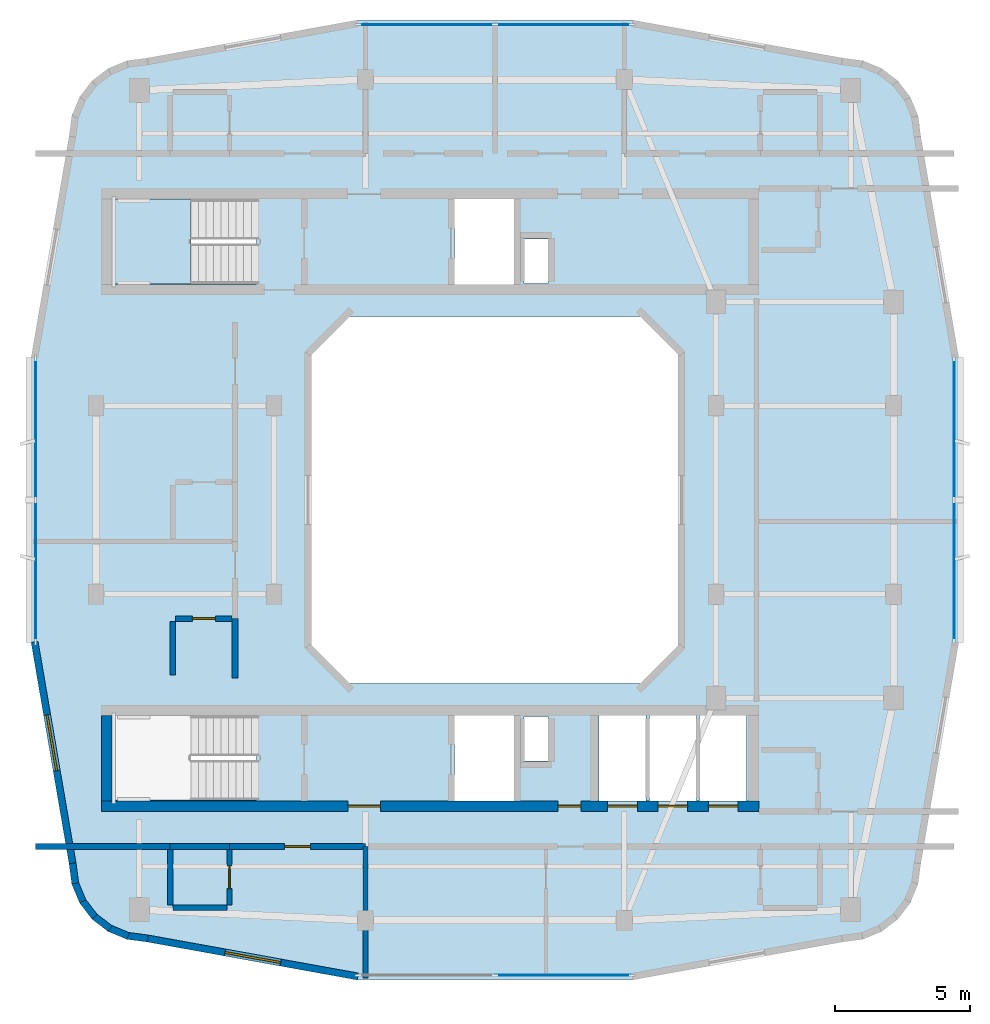
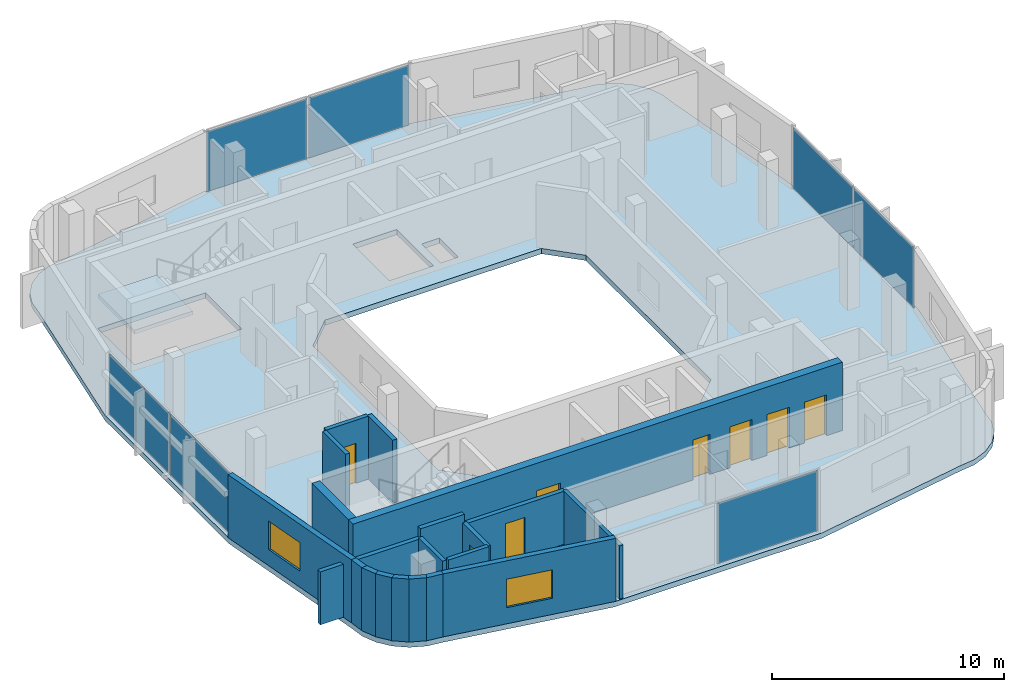
# One storey, part 3 of 8: 20 walls, 8 doors, 7 plates, 2 slabs, 2 windows, 10 openings, 5 elements without a shape of their own.
"""IFC4 building model written with IfcOpenShell, lengths in metres."""

import ifcopenshell
import ifcopenshell.guid

model = None  # the IFC model being written
_history = None  # IfcOwnerHistory: only IFC2X3 demands one
_inside = {}  # id of a spatial element -> (the spatial element, [elements in it])
_under = {}  # id of a project, library or spatial element -> (it, [spatial elements below it])
_declared = {}  # id of a project -> (the project, [libraries it declares])
_typed = {}  # id of a type object -> (the type object, [elements of that type])
_made_of = {}  # id of a material, layer set ... -> (it, [elements and type objects made of it])


def new_model(schema):
    """Start an empty IFC model of exactly this schema.

    Asked for "IFC4X3", IfcOpenShell would pick the latest addendum, in which some entities
    have other attributes; the version numbers below select the first issue.
    IFC2X3 requires an IfcOwnerHistory on every rooted entity: one is made here for all.
    """
    global model, _history
    if schema == "IFC4X3":
        model = ifcopenshell.file(schema_version=(4, 3, 0, 0))
    else:
        model = ifcopenshell.file(schema=schema)
    _inside.clear()
    _under.clear()
    _declared.clear()
    _typed.clear()
    _made_of.clear()
    _history = None
    if model.schema == "IFC2X3":
        org = make("IfcOrganization", Name="unknown")
        user = make(
            "IfcPersonAndOrganization",
            ThePerson=make("IfcPerson", FamilyName="unknown"),
            TheOrganization=org,
        )
        app = make(
            "IfcApplication",
            ApplicationDeveloper=org,
            Version="unknown",
            ApplicationFullName="unknown",
            ApplicationIdentifier="unknown",
        )
        _history = make(
            "IfcOwnerHistory",
            OwningUser=user,
            OwningApplication=app,
            ChangeAction="ADDED",
            CreationDate=0,
        )
    return model


def make(cls, **values):
    """One entity of the class cls with the attributes given. An attribute that is None is left unset."""
    return model.create_entity(
        cls, **{name: value for name, value in values.items() if value is not None}
    )


def rooted(cls, **values):
    """An entity with a GlobalId (a new one), such as an element, a storey or a relation."""
    return make(cls, GlobalId=ifcopenshell.guid.new(), OwnerHistory=_history, **values)


def si_unit(unit_type, name, prefix=None):
    """IfcSIUnit, for example si_unit("LENGTHUNIT", "METRE", prefix="MILLI")."""
    return make("IfcSIUnit", UnitType=unit_type, Prefix=prefix, Name=name)


def derived_unit(unit_type, elements):
    """IfcDerivedUnit: a product of units, each with its exponent."""
    return make(
        "IfcDerivedUnit",
        Elements=[
            make("IfcDerivedUnitElement", Unit=unit, Exponent=power)
            for unit, power in elements
        ],
        UnitType=unit_type,
    )


def assignment(units):
    """IfcUnitAssignment: the units of a project."""
    return None if units is None else make("IfcUnitAssignment", Units=units)


def point(xyz):
    """IfcCartesianPoint."""
    return None if xyz is None else make("IfcCartesianPoint", Coordinates=xyz)


def direction(xyz):
    """IfcDirection."""
    return None if xyz is None else make("IfcDirection", DirectionRatios=xyz)


def frame(location, z_axis=None, x_axis=None):
    """IfcAxis2Placement3D, a coordinate frame: its origin and axes. An axis left out is left unset."""
    return make(
        "IfcAxis2Placement3D",
        Location=point(location),
        Axis=direction(z_axis),
        RefDirection=direction(x_axis),
    )


def frame_2d(location, x_axis=None):
    """IfcAxis2Placement2D, a coordinate frame in the plane: its origin and x axis."""
    return make(
        "IfcAxis2Placement2D", Location=point(location), RefDirection=direction(x_axis)
    )


def origin():
    """The frame at (0, 0, 0) with its axes left unset."""
    return frame((0.0, 0.0, 0.0))


def origin_2d():
    """The frame at (0, 0) in the plane with its x axis left unset."""
    return frame_2d((0.0, 0.0))


def place(relative_to, where):
    """IfcLocalPlacement: puts the frame where relative to a parent placement (None: the world)."""
    return make(
        "IfcLocalPlacement", PlacementRelTo=relative_to, RelativePlacement=where
    )


def context(
    kind, dimensions, precision=None, world=None, true_north=None, identifier=None
):
    """IfcGeometricRepresentationContext, for example the 3D "Model" context."""
    return make(
        "IfcGeometricRepresentationContext",
        ContextIdentifier=identifier,
        ContextType=kind,
        CoordinateSpaceDimension=dimensions,
        Precision=precision,
        WorldCoordinateSystem=world,
        TrueNorth=true_north,
    )


def subcontext(parent, identifier, kind, view, scale=None):
    """IfcGeometricRepresentationSubContext, for example "Body" below "Model"."""
    return make(
        "IfcGeometricRepresentationSubContext",
        ContextIdentifier=identifier,
        ContextType=kind,
        ParentContext=parent,
        TargetScale=scale,
        TargetView=view,
    )


def project(units=None, contexts=None):
    """IfcProject with its units and contexts."""
    return rooted(
        "IfcProject",
        Name="project",
        RepresentationContexts=contexts,
        UnitsInContext=assignment(units),
    )


def spatial(cls, under=None, at=None, **own):
    """A site, building, storey or space (cls), placed at a placement, below another one or the project."""
    s = rooted(cls, ObjectPlacement=at, **own)
    if under is not None:
        _under.setdefault(under.id(), (under, []))[1].append(s)
    return s


def polyline(points):
    """IfcPolyline through the points."""
    return make("IfcPolyline", Points=[point(p) for p in points])


def profile(cls, at=None, kind="AREA", **sizes):
    """A parametric profile (cls). Its sizes go by their IFC names, for example OverallWidth=200.0."""
    return make(cls, ProfileType=kind, Position=at, **sizes)


def rectangle(**sizes):
    """IfcRectangleProfileDef."""
    return profile("IfcRectangleProfileDef", **sizes)


def outline(outer, holes=None, kind="AREA"):
    """IfcArbitraryClosedProfileDef: a profile drawn as a closed curve; with holes, ...WithVoids."""
    if holes is None:
        return make("IfcArbitraryClosedProfileDef", ProfileType=kind, OuterCurve=outer)
    return make(
        "IfcArbitraryProfileDefWithVoids",
        ProfileType=kind,
        OuterCurve=outer,
        InnerCurves=holes,
    )


def extrude(swept, where, along, depth):
    """IfcExtrudedAreaSolid: the profile swept, set in the frame where, extruded along a direction by depth."""
    return make(
        "IfcExtrudedAreaSolid",
        SweptArea=swept,
        Position=where,
        ExtrudedDirection=direction(along),
        Depth=depth,
    )


def shape(context_of_items, identifier, shape_type, items):
    """IfcShapeRepresentation: the items that make up one representation, for example the "Body"."""
    return make(
        "IfcShapeRepresentation",
        ContextOfItems=context_of_items,
        RepresentationIdentifier=identifier,
        RepresentationType=shape_type,
        Items=items,
    )


def material(Name=None, Category=None):
    """IfcMaterial."""
    return make("IfcMaterial", Name=Name, Category=Category)


def layer(
    of_material, thickness, ventilated=None, Name=None, Category=None, Priority=None
):
    """IfcMaterialLayer: one layer of a wall or slab, of a material (None: an air gap)."""
    return make(
        "IfcMaterialLayer",
        Material=of_material,
        LayerThickness=thickness,
        IsVentilated=ventilated,
        Name=Name,
        Category=Category,
        Priority=Priority,
    )


def layer_set(layers, Name=None):
    """IfcMaterialLayerSet."""
    return make("IfcMaterialLayerSet", MaterialLayers=layers, LayerSetName=Name)


def made_of(thing, what):
    """Note that an element or type object is made of a material, layer set ...; save() writes the relation."""
    if what is not None:
        _made_of.setdefault(what.id(), (what, []))[1].append(thing)
    return thing


def type_object(cls, material=None, **own):
    """A type object (cls), such as IfcWallType, which elements share."""
    return made_of(rooted(cls, **own), material)


def element(
    cls,
    number,
    at=None,
    inside=None,
    cuts=None,
    type_object=None,
    material=None,
    context=None,
    identifier="Body",
    shape_type=None,
    held_by="IfcProductDefinitionShape",
    body=None,
    shapes=None,
    **own,
):
    """One element of the class cls, such as IfcWall. Its Tag is "e" and its number.

    at: its placement. inside: the storey or other place that contains it. cuts: it is an
    opening in that element (IfcRelVoidsElement). A single representation is given by context,
    identifier, shape_type and body (its items); several are given by shapes. held_by: the class
    of the entity that holds the representations. save() writes the other relations.
    """
    e = rooted(cls, Tag="e%d" % number, ObjectPlacement=at, **own)
    if body is not None:
        shapes = [shape(context, identifier, shape_type, body)]
    if shapes is not None:
        e.Representation = make(held_by, Representations=shapes)
    if inside is not None:
        _inside.setdefault(inside.id(), (inside, []))[1].append(e)
    if cuts is not None:
        rooted(
            "IfcRelVoidsElement", RelatingBuildingElement=cuts, RelatedOpeningElement=e
        )
    if type_object is not None:
        _typed.setdefault(type_object.id(), (type_object, []))[1].append(e)
    return made_of(e, material)


def fill(opening, filler):
    """IfcRelFillsElement: the door or window that sits in an opening."""
    return rooted(
        "IfcRelFillsElement",
        RelatingOpeningElement=opening,
        RelatedBuildingElement=filler,
    )


def aggregate(whole, parts):
    """IfcRelAggregates: a whole, such as a stair, and the parts it consists of."""
    return rooted("IfcRelAggregates", RelatingObject=whole, RelatedObjects=parts)


def save(model, path):
    """Write the relations noted so far, then the file.

    IfcRelAggregates (storeys below a building ...), IfcRelContainedInSpatialStructure (elements
    in a storey), IfcRelDefinesByType, IfcRelAssociatesMaterial and IfcRelDeclares: one each for
    every whole, place, type object, material and project.
    """
    for whole, parts in _under.values():
        aggregate(whole, parts)
    for where, things in _inside.values():
        rooted(
            "IfcRelContainedInSpatialStructure",
            RelatedElements=things,
            RelatingStructure=where,
        )
    for kind, things in _typed.values():
        rooted("IfcRelDefinesByType", RelatedObjects=things, RelatingType=kind)
    for what, things in _made_of.values():
        rooted("IfcRelAssociatesMaterial", RelatedObjects=things, RelatingMaterial=what)
    for by, libraries in _declared.values():
        rooted("IfcRelDeclares", RelatingContext=by, RelatedDefinitions=libraries)
    model.write(path)


model = new_model("IFC4")

# Units and contexts
model_context = context("Model", 3, precision=1e-05, world=origin(), true_north=direction((0.0, 1.0)))
body_context = subcontext(model_context, "Body", "Model", "MODEL_VIEW")
ifc_project = project(units=[si_unit("LENGTHUNIT", "METRE"), si_unit("AREAUNIT", "SQUARE_METRE"), si_unit("VOLUMEUNIT", "CUBIC_METRE"), si_unit("PLANEANGLEUNIT", "RADIAN"), si_unit("MASSUNIT", "GRAM", prefix="KILO"), derived_unit("THERMALTRANSMITTANCEUNIT", [(si_unit("POWERUNIT", "WATT"), 1), (si_unit("LENGTHUNIT", "METRE"), -2), (si_unit("THERMODYNAMICTEMPERATUREUNIT", "KELVIN"), -1)])], contexts=[model_context])

# Site, building, storey
site_placement = place(None, origin())
site = spatial("IfcSite", under=ifc_project, at=site_placement, CompositionType="ELEMENT")
building_placement = place(site_placement, origin())
building = spatial("IfcBuilding", under=site, at=building_placement, Name="Kivonza Crest Hotel", CompositionType="ELEMENT")
storey_placement = place(building_placement, frame((0.0, 0.0, 257.60009765625)))
storey = spatial("IfcBuildingStorey", under=building, at=storey_placement, Name="L70", CompositionType="ELEMENT", Elevation=257.60009765625)

# Curtain wall, plate
ifc_material_1 = material(Name="Anodised bronze aluminium and low-E double glazing", Category="aluminium")
ifc_layer_1 = layer(ifc_material_1, 0.179931640625)
ifc_layer_set_1 = layer_set([ifc_layer_1], Name="Anodised bronze aluminium and low-E double glazing")
curtain_wall_type = type_object("IfcCurtainWallType", Name="CW-SYS-3", PredefinedType="NOTDEFINED", material=ifc_layer_set_1)
curtain_wall_1_placement = place(storey_placement, origin())
curtain_wall_1 = element("IfcCurtainWall", 1, at=curtain_wall_1_placement, inside=storey, type_object=curtain_wall_type, Name="L70 unitised curtain wall CW-T1-L70-08", PredefinedType="NOTDEFINED")
ifc_material_2 = material(Name="Acoustic triple-laminated low-E glazing", Category="glass")
ifc_layer_2 = layer(ifc_material_2, 0.035888671875)
ifc_layer_set_2 = layer_set([ifc_layer_2], Name="Acoustic triple-laminated low-E glazing")
plate_type = type_object("IfcPlateType", Name="CW-PNL-36", PredefinedType="CURTAIN_PANEL", material=ifc_layer_set_2)
plate_1_placement = place(storey_placement, frame((23.541259765625, 7.360107421875, 0.074951171875), z_axis=(0.0, 0.0, 1.0), x_axis=(1.0, 0.0, 0.0)))
plate_1 = element("IfcPlate", 2, at=plate_1_placement, type_object=plate_type, Name="CW-3 panel 2.1", PredefinedType="CURTAIN_PANEL", context=body_context, shape_type="SweptSolid", body=[
    extrude(rectangle(XDim=5.007568359375, YDim=0.035888671875, at=origin_2d()), origin(), (0.0, 0.0, 1.0), 3.169921875),
])
aggregate(curtain_wall_1, [plate_1])

# Curtain wall, plates
curtain_wall_2_placement = place(storey_placement, origin())
curtain_wall_2 = element("IfcCurtainWall", 3, at=curtain_wall_2_placement, inside=storey, type_object=curtain_wall_type, Name="L70 unitised curtain wall CW-T1-L70-17", PredefinedType="NOTDEFINED")
plate_2_placement = place(storey_placement, frame((38.0400390625, 22.36865234375, 0.074951171875), z_axis=(0.0, 0.0, 1.0), x_axis=(0.0, 1.0, 0.0)))
plate_2 = element("IfcPlate", 4, at=plate_2_placement, type_object=plate_type, Name="CW-3 panel 1.1", PredefinedType="CURTAIN_PANEL", context=body_context, shape_type="SweptSolid", body=[
    extrude(rectangle(XDim=5.1875, YDim=0.035888671875, at=origin_2d()), origin(), (0.0, 0.0, 1.0), 3.169921875),
])
plate_3_placement = place(storey_placement, frame((38.0400390625, 27.63134765625, 0.074951171875), z_axis=(0.0, 0.0, 1.0), x_axis=(0.0, 1.0, 0.0)))
plate_3 = element("IfcPlate", 5, at=plate_3_placement, type_object=plate_type, Name="CW-3 panel 2.1", PredefinedType="CURTAIN_PANEL", context=body_context, shape_type="SweptSolid", body=[
    extrude(rectangle(XDim=5.1875, YDim=0.035888671875, at=origin_2d()), origin(), (0.0, 0.0, 1.0), 3.169921875),
])
aggregate(curtain_wall_2, [plate_2, plate_3])

curtain_wall_3_placement = place(storey_placement, origin())
curtain_wall_3 = element("IfcCurtainWall", 6, at=curtain_wall_3_placement, inside=storey, type_object=curtain_wall_type, Name="L70 unitised curtain wall CW-T1-L70-26", PredefinedType="NOTDEFINED")
plate_4_placement = place(storey_placement, frame((23.541259765625, 42.639892578125, 0.074951171875), z_axis=(0.0, 0.0, 1.0), x_axis=(-1.0, 0.0, 0.0)))
plate_4 = element("IfcPlate", 7, at=plate_4_placement, type_object=plate_type, Name="CW-3 panel 1.1", PredefinedType="CURTAIN_PANEL", context=body_context, shape_type="SweptSolid", body=[
    extrude(rectangle(XDim=5.007568359375, YDim=0.035888671875, at=origin_2d()), origin(), (0.0, 0.0, 1.0), 3.169921875),
])
plate_5_placement = place(storey_placement, frame((18.458740234375, 42.639892578125, 0.074951171875), z_axis=(0.0, 0.0, 1.0), x_axis=(-1.0, 0.0, 0.0)))
plate_5 = element("IfcPlate", 8, at=plate_5_placement, type_object=plate_type, Name="CW-3 panel 2.1", PredefinedType="CURTAIN_PANEL", context=body_context, shape_type="SweptSolid", body=[
    extrude(rectangle(XDim=5.007568359375, YDim=0.035888671875, at=origin_2d()), origin(), (0.0, 0.0, 1.0), 3.169921875),
])
aggregate(curtain_wall_3, [plate_4, plate_5])

curtain_wall_4_placement = place(storey_placement, origin())
curtain_wall_4 = element("IfcCurtainWall", 9, at=curtain_wall_4_placement, inside=storey, type_object=curtain_wall_type, Name="L70 unitised curtain wall CW-T1-L70-35", PredefinedType="NOTDEFINED")
plate_6_placement = place(storey_placement, frame((3.9599609375, 27.63134765625, 0.074951171875), z_axis=(0.0, 0.0, 1.0), x_axis=(0.0, -1.0, 0.0)))
plate_6 = element("IfcPlate", 10, at=plate_6_placement, type_object=plate_type, Name="CW-3 panel 1.1", PredefinedType="CURTAIN_PANEL", context=body_context, shape_type="SweptSolid", body=[
    extrude(rectangle(XDim=5.1875, YDim=0.035888671875, at=origin_2d()), origin(), (0.0, 0.0, 1.0), 3.169921875),
])
plate_7_placement = place(storey_placement, frame((3.9599609375, 22.36865234375, 0.074951171875), z_axis=(0.0, 0.0, 1.0), x_axis=(0.0, -1.0, 0.0)))
plate_7 = element("IfcPlate", 11, at=plate_7_placement, type_object=plate_type, Name="CW-3 panel 2.1", PredefinedType="CURTAIN_PANEL", context=body_context, shape_type="SweptSolid", body=[
    extrude(rectangle(XDim=5.1875, YDim=0.035888671875, at=origin_2d()), origin(), (0.0, 0.0, 1.0), 3.169921875),
])
aggregate(curtain_wall_4, [plate_6, plate_7])

# Slab
ifc_material_3 = material(Name="Concrete C40/50", Category="concrete")
ifc_layer_3 = layer(ifc_material_3, 0.280029296875)
ifc_layer_set_3 = layer_set([ifc_layer_3], Name="Concrete C40/50")
slab_type_1 = type_object("IfcSlabType", Name="SL-HTL-280", PredefinedType="FLOOR", material=ifc_layer_set_3)
slab_1_placement = place(storey_placement, frame((0.0, 0.0, -0.280029296875)))
element("IfcSlab", 12, at=slab_1_placement, inside=storey, type_object=slab_type_1, Name="Tower T1 L70 floor slab", PredefinedType="FLOOR", context=body_context, shape_type="SweptSolid", body=[
    extrude(outline(polyline([(5.199951171875, 11.5), (5.299072265625, 10.7490234375), (5.589111328125, 10.050048828125), (6.049072265625, 9.448974609375), (6.64990234375, 8.989013671875), (7.34912109375, 8.698974609375), (8.10009765625, 8.60009765625), (15.840087890625, 7.199951171875), (26.159912109375, 7.199951171875), (33.89990234375, 8.60009765625), (34.65087890625, 8.698974609375), (35.35009765625, 8.989013671875), (35.950927734375, 9.448974609375), (36.410888671875, 10.050048828125), (36.700927734375, 10.7490234375), (36.800048828125, 11.5), (38.199951171875, 19.659912109375), (38.199951171875, 30.340087890625), (36.800048828125, 38.5), (36.700927734375, 39.2509765625), (36.410888671875, 39.949951171875), (35.950927734375, 40.551025390625), (35.35009765625, 41.010986328125), (34.65087890625, 41.301025390625), (33.89990234375, 41.39990234375), (26.159912109375, 42.800048828125), (15.840087890625, 42.800048828125), (8.10009765625, 41.39990234375), (7.34912109375, 41.301025390625), (6.64990234375, 41.010986328125), (6.049072265625, 40.551025390625), (5.589111328125, 39.949951171875), (5.299072265625, 39.2509765625), (5.199951171875, 38.5), (3.800048828125, 30.340087890625), (3.800048828125, 19.659912109375), (5.199951171875, 11.5)]), holes=[polyline([(15.60009765625, 18.199951171875), (26.39990234375, 18.199951171875), (27.800048828125, 19.60009765625), (27.800048828125, 30.39990234375), (26.39990234375, 31.800048828125), (15.60009765625, 31.800048828125), (14.199951171875, 30.39990234375), (14.199951171875, 19.60009765625), (15.60009765625, 18.199951171875)]), polyline([(6.800048828125, 33.02001953125), (12.159912109375, 33.02001953125), (12.159912109375, 36.159912109375), (6.800048828125, 36.159912109375), (6.800048828125, 33.02001953125)]), polyline([(6.800048828125, 13.860107421875), (12.159912109375, 13.860107421875), (12.159912109375, 17.0), (6.800048828125, 17.0), (6.800048828125, 13.860107421875)]), polyline([(22.080078125, 33.0400390625), (22.969970703125, 33.0400390625), (22.969970703125, 34.679931640625), (22.080078125, 34.679931640625), (22.080078125, 33.0400390625)]), polyline([(22.080078125, 15.320068359375), (22.969970703125, 15.320068359375), (22.969970703125, 16.9599609375), (22.080078125, 16.9599609375), (22.080078125, 15.320068359375)]), polyline([(19.5, 33.0), (21.699951171875, 33.0), (21.699951171875, 36.159912109375), (19.5, 36.159912109375), (19.5, 33.0)]), polyline([(19.5, 13.840087890625), (21.699951171875, 13.840087890625), (21.699951171875, 17.0), (19.5, 17.0), (19.5, 13.840087890625)]), polyline([(24.860107421875, 13.840087890625), (26.60693359375, 13.840087890625), (26.60693359375, 17.0), (24.860107421875, 17.0), (24.860107421875, 13.840087890625)]), polyline([(26.72705078125, 13.840087890625), (28.472900390625, 13.840087890625), (28.472900390625, 17.0), (26.72705078125, 17.0), (26.72705078125, 13.840087890625)]), polyline([(28.593017578125, 13.840087890625), (30.340087890625, 13.840087890625), (30.340087890625, 17.0), (28.593017578125, 17.0), (28.593017578125, 13.840087890625)])]), origin(), (0.0, 0.0, 1.0), 0.280029296875),
])

# Stair, slab
stair_type = type_object("IfcStairType", Name="ST-DL-20R", PredefinedType="HALF_TURN_STAIR", material=ifc_material_3)
stair_placement = place(storey_placement, origin())
stair = element("IfcStair", 13, at=stair_placement, inside=storey, type_object=stair_type, Name="L70 Protected Exit Stair ST-T1-N", PredefinedType="HALF_TURN_STAIR")
ifc_layer_4 = layer(ifc_material_3, 0.199951171875)
ifc_layer_set_4 = layer_set([ifc_layer_4], Name="Concrete C40/50")
slab_type_2 = type_object("IfcSlabType", Name="SL-LAND-200", PredefinedType="LANDING", material=ifc_layer_set_4)
slab_2_placement = place(storey_placement, frame((0.0, 0.0, 1.599853515625)))
slab_2 = element("IfcSlab", 14, at=slab_2_placement, type_object=slab_type_2, Name="ST-T1-N landing 1", PredefinedType="LANDING", context=body_context, shape_type="SweptSolid", body=[
    extrude(outline(polyline([(9.719970703125, 36.159912109375), (6.800048828125, 36.159912109375), (6.800048828125, 33.02001953125), (9.719970703125, 33.02001953125), (9.719970703125, 36.159912109375)])), origin(), (0.0, 0.0, 1.0), 0.199951171875),
])
aggregate(stair, [slab_2])

# Walls
ifc_material_4 = material(Name="High-density acoustic masonry inter-tenancy wall", Category="masonry")
ifc_layer_5 = layer(ifc_material_4, 0.179931640625)
ifc_layer_set_5 = layer_set([ifc_layer_5], Name="High-density acoustic masonry inter-tenancy wall")
wall_type_1 = type_object("IfcWallType", Name="WL-ACOU-180", PredefinedType="SOLIDWALL", material=ifc_layer_set_5)
wall_1_placement = place(storey_placement, frame((16.199951171875, 7.260009765625, 0.0), z_axis=(0.0, 0.0, 1.0), x_axis=(0.0, 1.0, 0.0)))
element("IfcWall", 15, at=wall_1_placement, inside=storey, type_object=wall_type_1, Name="L70 interior partition WA-L70-T1S-DIV1", PredefinedType="SOLIDWALL", context=body_context, shape_type="SweptSolid", body=[
    extrude(rectangle(XDim=4.8798828125, YDim=0.179931640625, at=frame_2d((2.43994140625, 0.0))), origin(), (0.0, 0.0, 1.0), 2.794921875),
])
ifc_material_5 = material(Name="Autoclaved aerated concrete blockwork", Category="masonry")
ifc_layer_6 = layer(ifc_material_5, 0.219970703125)
ifc_layer_set_6 = layer_set([ifc_layer_6], Name="Autoclaved aerated concrete blockwork")
wall_type_2 = type_object("IfcWallType", Name="WL-ACOU-220", PredefinedType="SOLIDWALL", material=ifc_layer_set_6)
wall_2_placement = place(storey_placement, frame((3.9599609375, 12.139892578125, 0.0), z_axis=(0.0, 0.0, 1.0), x_axis=(1.0, 0.0, 0.0)))
element("IfcWall", 16, at=wall_2_placement, inside=storey, type_object=wall_type_2, Name="L70 interior partition WA-L70-S03-XCORR", PredefinedType="SOLIDWALL", context=body_context, shape_type="SweptSolid", body=[
    extrude(rectangle(XDim=4.989990234375, YDim=0.219970703125, at=frame_2d((2.4951171875, 0.0))), origin(), (0.0, 0.0, 1.0), 2.794921875),
])
wall_3_placement = place(storey_placement, frame((8.949951171875, 12.139892578125, 0.0), z_axis=(0.0, 0.0, 1.0), x_axis=(1.0, 0.0, 0.0)))
element("IfcWall", 17, at=wall_3_placement, inside=storey, type_object=wall_type_2, Name="L70 interior partition WA-L70-S03-BCORR", PredefinedType="SOLIDWALL", context=body_context, shape_type="SweptSolid", body=[
    extrude(rectangle(XDim=2.199951171875, YDim=0.219970703125, at=frame_2d((1.10009765625, 0.0))), origin(), (0.0, 0.0, 1.0), 3.31982421875),
])

# Wall, opening, door
wall_4_placement = place(storey_placement, frame((11.14990234375, 12.139892578125, 0.0), z_axis=(0.0, 0.0, 1.0), x_axis=(1.0, 0.0, 0.0)))
wall_4 = element("IfcWall", 18, at=wall_4_placement, inside=storey, type_object=wall_type_2, Name="L70 interior partition WA-L70-S03-MCORR", PredefinedType="SOLIDWALL", context=body_context, shape_type="SweptSolid", body=[
    extrude(rectangle(XDim=5.050048828125, YDim=0.219970703125, at=frame_2d((2.52490234375, 0.0))), origin(), (0.0, 0.0, 1.0), 2.794921875),
])
opening_1_placement = place(wall_4_placement, frame((2.050048828125, 0.0, 0.0)))
opening_1 = element("IfcOpeningElement", 19, at=opening_1_placement, cuts=wall_4, Name="Opening DU-60", PredefinedType="OPENING", context=body_context, shape_type="SweptSolid", body=[
    extrude(rectangle(XDim=0.949951171875, YDim=2.10009765625, at=frame_2d((0.47509765625, 1.050048828125))), frame((0.0, 0.1201171875, 0.0), z_axis=(0.0, -1.0, 0.0), x_axis=(1.0, 0.0, 0.0)), (0.0, 0.0, 1.0), 0.239990234375),
])
ifc_material_6 = material(Name="Hardwood timber oak", Category="wood")
door_type_1 = type_object("IfcDoorType", Name="DR-UNIT-950", OperationType="NOTDEFINED", PredefinedType="DOOR", material=ifc_material_6)
door_1_placement = place(opening_1_placement, frame((0.949951171875, 0.0, 0.0), z_axis=(0.0, 0.0, 1.0), x_axis=(-1.0, 0.0, 0.0)))
door_1 = element("IfcDoor", 20, at=door_1_placement, inside=storey, type_object=door_type_1, Name="L70 S03 guest unit entrance fire door", OperationType="SINGLE_SWING_LEFT", OverallHeight=2.10009765625, OverallWidth=0.949951171875, PredefinedType="DOOR", context=body_context, shape_type="SweptSolid", body=[
    extrude(rectangle(XDim=0.949951171875, YDim=2.10009765625, at=frame_2d((0.47509765625, 1.050048828125))), frame((0.0, 0.02490234375, 0.0), z_axis=(0.0, -1.0, 0.0), x_axis=(1.0, 0.0, 0.0)), (0.0, 0.0, 1.0), 0.050048828125),
])
fill(opening_1, door_1)

# Wall
wall_5_placement = place(storey_placement, frame((11.35009765625, 18.39990234375, 0.0), z_axis=(0.0, 0.0, 1.0), x_axis=(0.0, 1.0, 0.0)))
element("IfcWall", 21, at=wall_5_placement, inside=storey, type_object=wall_type_2, Name="L70 interior partition WA-L70-W05-BCORR", PredefinedType="SOLIDWALL", context=body_context, shape_type="SweptSolid", body=[
    extrude(rectangle(XDim=2.2001953125, YDim=0.219970703125, at=frame_2d((1.10009765625, 0.0))), origin(), (0.0, 0.0, 1.0), 3.31982421875),
])

# Wall, openings, doors
ifc_material_7 = material(Name="Concrete C50/60", Category="concrete")
ifc_layer_7 = layer(ifc_material_7, 0.39990234375)
ifc_layer_set_7 = layer_set([ifc_layer_7], Name="Concrete C50/60")
wall_type_3 = type_object("IfcWallType", Name="WL-CORE-400", PredefinedType="SHEAR", material=ifc_layer_set_7)
wall_6_placement = place(storey_placement, frame((6.39990234375, 13.639892578125, 0.0), z_axis=(0.0, 0.0, 1.0), x_axis=(1.0, 0.0, 0.0)))
wall_6 = element("IfcWall", 22, at=wall_6_placement, inside=storey, type_object=wall_type_3, Name="Core wall T1-S South L70", PredefinedType="SHEAR", context=body_context, shape_type="SweptSolid", body=[
    extrude(rectangle(XDim=24.400146484375, YDim=0.39990234375, at=frame_2d((12.2001953125, 0.0))), origin(), (0.0, 0.0, 1.0), 3.599853515625),
])
opening_2_placement = place(wall_6_placement, frame((9.14990234375, 0.0, 0.0)))
opening_2 = element("IfcOpeningElement", 23, at=opening_2_placement, cuts=wall_6, Name="Opening DF-60", PredefinedType="OPENING", context=body_context, shape_type="SweptSolid", body=[
    extrude(rectangle(XDim=1.199951171875, YDim=2.14990234375, at=frame_2d((0.60009765625, 1.074951171875))), frame((0.0, 0.2099609375, 0.0), z_axis=(0.0, -1.0, 0.0), x_axis=(1.0, 0.0, 0.0)), (0.0, 0.0, 1.0), 0.419921875),
])
opening_3_placement = place(wall_6_placement, frame((16.93994140625, 0.0, 0.0)))
opening_3 = element("IfcOpeningElement", 24, at=opening_3_placement, cuts=wall_6, Name="Opening DF-60R", PredefinedType="OPENING", context=body_context, shape_type="SweptSolid", body=[
    extrude(rectangle(XDim=0.85009765625, YDim=2.10009765625, at=frame_2d((0.425048828125, 1.050048828125))), frame((0.0, 0.2099609375, 0.0), z_axis=(0.0, -1.0, 0.0), x_axis=(1.0, 0.0, 0.0)), (0.0, 0.0, 1.0), 0.419921875),
])
opening_4_placement = place(wall_6_placement, frame((18.782958984375, 0.0, 0.0)))
opening_4 = element("IfcOpeningElement", 25, at=opening_4_placement, cuts=wall_6, Name="Opening LD-120", PredefinedType="OPENING", context=body_context, shape_type="SweptSolid", body=[
    extrude(rectangle(XDim=1.10009765625, YDim=2.14990234375, at=frame_2d((0.550048828125, 1.074951171875))), frame((0.0, 0.2099609375, 0.0), z_axis=(0.0, -1.0, 0.0), x_axis=(1.0, 0.0, 0.0)), (0.0, 0.0, 1.0), 0.419921875),
])
opening_5_placement = place(wall_6_placement, frame((20.64990234375, 0.0, 0.0)))
opening_5 = element("IfcOpeningElement", 26, at=opening_5_placement, cuts=wall_6, Name="Opening LD-120", PredefinedType="OPENING", context=body_context, shape_type="SweptSolid", body=[
    extrude(rectangle(XDim=1.10009765625, YDim=2.14990234375, at=frame_2d((0.550048828125, 1.074951171875))), frame((0.0, 0.2099609375, 0.0), z_axis=(0.0, -1.0, 0.0), x_axis=(1.0, 0.0, 0.0)), (0.0, 0.0, 1.0), 0.419921875),
])
opening_6_placement = place(wall_6_placement, frame((22.51708984375, 0.0, 0.0)))
opening_6 = element("IfcOpeningElement", 27, at=opening_6_placement, cuts=wall_6, Name="Opening LD-120", PredefinedType="OPENING", context=body_context, shape_type="SweptSolid", body=[
    extrude(rectangle(XDim=1.10009765625, YDim=2.14990234375, at=frame_2d((0.550048828125, 1.074951171875))), frame((0.0, 0.2099609375, 0.0), z_axis=(0.0, -1.0, 0.0), x_axis=(1.0, 0.0, 0.0)), (0.0, 0.0, 1.0), 0.419921875),
])
door_type_2 = type_object("IfcDoorType", Name="DR-FD60-1200", OperationType="NOTDEFINED", PredefinedType="DOOR", material=ifc_material_6)
door_2_placement = place(opening_2_placement, frame((1.199951171875, 0.0, 0.0), z_axis=(0.0, 0.0, 1.0), x_axis=(-1.0, 0.0, 0.0)))
door_2 = element("IfcDoor", 28, at=door_2_placement, inside=storey, type_object=door_type_2, Name="L70 T1-S firefighting lobby fire door", OperationType="SINGLE_SWING_LEFT", OverallHeight=2.14990234375, OverallWidth=1.199951171875, PredefinedType="DOOR", context=body_context, shape_type="SweptSolid", body=[
    extrude(rectangle(XDim=1.199951171875, YDim=2.14990234375, at=frame_2d((0.60009765625, 1.074951171875))), frame((0.0, 0.02490234375, 0.0), z_axis=(0.0, -1.0, 0.0), x_axis=(1.0, 0.0, 0.0)), (0.0, 0.0, 1.0), 0.050048828125),
])
fill(opening_2, door_2)
door_type_3 = type_object("IfcDoorType", Name="DR-FD60-850", OperationType="NOTDEFINED", PredefinedType="DOOR", material=ifc_material_6)
door_3_placement = place(opening_3_placement, frame((0.85009765625, 0.0, 0.0), z_axis=(0.0, 0.0, 1.0), x_axis=(-1.0, 0.0, 0.0)))
door_3 = element("IfcDoor", 29, at=door_3_placement, inside=storey, type_object=door_type_3, Name="L70 T1-S core room door", OperationType="SINGLE_SWING_RIGHT", OverallHeight=2.10009765625, OverallWidth=0.85009765625, PredefinedType="DOOR", context=body_context, shape_type="SweptSolid", body=[
    extrude(rectangle(XDim=0.85009765625, YDim=2.10009765625, at=frame_2d((0.425048828125, 1.050048828125))), frame((0.0, 0.02490234375, 0.0), z_axis=(0.0, -1.0, 0.0), x_axis=(1.0, 0.0, 0.0)), (0.0, 0.0, 1.0), 0.050048828125),
])
fill(opening_3, door_3)
ifc_material_8 = material(Name="Stainless steel", Category="steel")
door_type_4 = type_object("IfcDoorType", Name="DR-LD120-1100", OperationType="NOTDEFINED", PredefinedType="DOOR", material=ifc_material_8)
door_4_placement = place(opening_4_placement, frame((1.10009765625, 0.0, 0.0), z_axis=(0.0, 0.0, 1.0), x_axis=(-1.0, 0.0, 0.0)))
door_4 = element("IfcDoor", 30, at=door_4_placement, inside=storey, type_object=door_type_4, Name="L70 PL-T1-H1 passenger lift sliding landing door", OperationType="DOUBLE_DOOR_SLIDING", OverallHeight=2.14990234375, OverallWidth=1.10009765625, PredefinedType="DOOR", context=body_context, shape_type="SweptSolid", body=[
    extrude(rectangle(XDim=1.10009765625, YDim=2.14990234375, at=frame_2d((0.550048828125, 1.074951171875))), frame((0.0, 0.02490234375, 0.0), z_axis=(0.0, -1.0, 0.0), x_axis=(1.0, 0.0, 0.0)), (0.0, 0.0, 1.0), 0.050048828125),
])
fill(opening_4, door_4)
door_5_placement = place(opening_5_placement, frame((1.10009765625, 0.0, 0.0), z_axis=(0.0, 0.0, 1.0), x_axis=(-1.0, 0.0, 0.0)))
door_5 = element("IfcDoor", 31, at=door_5_placement, inside=storey, type_object=door_type_4, Name="L70 PL-T1-H2 passenger lift sliding landing door", OperationType="DOUBLE_DOOR_SLIDING", OverallHeight=2.14990234375, OverallWidth=1.10009765625, PredefinedType="DOOR", context=body_context, shape_type="SweptSolid", body=[
    extrude(rectangle(XDim=1.10009765625, YDim=2.14990234375, at=frame_2d((0.550048828125, 1.074951171875))), frame((0.0, 0.02490234375, 0.0), z_axis=(0.0, -1.0, 0.0), x_axis=(1.0, 0.0, 0.0)), (0.0, 0.0, 1.0), 0.050048828125),
])
fill(opening_5, door_5)
door_6_placement = place(opening_6_placement, frame((1.10009765625, 0.0, 0.0), z_axis=(0.0, 0.0, 1.0), x_axis=(-1.0, 0.0, 0.0)))
door_6 = element("IfcDoor", 32, at=door_6_placement, inside=storey, type_object=door_type_4, Name="L70 PL-T1-H3 passenger lift sliding landing door", OperationType="DOUBLE_DOOR_SLIDING", OverallHeight=2.14990234375, OverallWidth=1.10009765625, PredefinedType="DOOR", context=body_context, shape_type="SweptSolid", body=[
    extrude(rectangle(XDim=1.10009765625, YDim=2.14990234375, at=frame_2d((0.550048828125, 1.074951171875))), frame((0.0, 0.02490234375, 0.0), z_axis=(0.0, -1.0, 0.0), x_axis=(1.0, 0.0, 0.0)), (0.0, 0.0, 1.0), 0.050048828125),
])
fill(opening_6, door_6)

# Walls
wall_7_placement = place(storey_placement, frame((6.60009765625, 13.840087890625, 0.0), z_axis=(0.0, 0.0, 1.0), x_axis=(0.0, 1.0, 0.0)))
element("IfcWall", 33, at=wall_7_placement, inside=storey, type_object=wall_type_3, Name="Core wall T1-S West L70", PredefinedType="SHEAR", context=body_context, shape_type="SweptSolid", body=[
    extrude(rectangle(XDim=3.159912109375, YDim=0.39990234375, at=frame_2d((1.580078125, 0.0))), origin(), (0.0, 0.0, 1.0), 3.599853515625),
])
ifc_material_9 = material(Name="Precast concrete C40/50", Category="concrete")
ifc_layer_8 = layer(ifc_material_9, 0.260009765625)
ifc_layer_set_8 = layer_set([ifc_layer_8], Name="Precast concrete C40/50")
wall_type_4 = type_object("IfcWallType", Name="WL-EXT-260", PredefinedType="STANDARD", material=ifc_layer_set_8)
wall_8_placement = place(storey_placement, frame((5.327880859375, 11.52490234375, 0.0), z_axis=(0.0, 0.0, 1.0), x_axis=(0.131190038694, -0.991357238208, 0.0)))
element("IfcWall", 34, at=wall_8_placement, inside=storey, type_object=wall_type_4, Name="L70 T1 exterior insulated wall 1", PredefinedType="STANDARD", context=body_context, shape_type="SweptSolid", body=[
    extrude(rectangle(XDim=0.755615234375, YDim=0.260009765625, at=frame_2d((0.3779296875, 0.0))), origin(), (0.0, 0.0, 1.0), 3.31982421875),
])
wall_9_placement = place(storey_placement, frame((5.408935546875, 10.822021484375, 0.0), z_axis=(0.0, 0.0, 1.0), x_axis=(0.383515061956, -0.923534621578, 0.0)))
element("IfcWall", 35, at=wall_9_placement, inside=storey, type_object=wall_type_4, Name="L70 T1 exterior insulated wall 2", PredefinedType="STANDARD", context=body_context, shape_type="SweptSolid", body=[
    extrude(rectangle(XDim=0.772216796875, YDim=0.260009765625, at=frame_2d((0.38623046875, 0.0))), origin(), (0.0, 0.0, 1.0), 3.31982421875),
])
for number, where, z_axis, x_axis, name in (
    (36, (5.677001953125, 10.14892578125, 0.0), (0.0, 0.0, 1.0), (0.607614460654, -0.794232124259, 0.0), "L70 T1 exterior insulated wall 3"),
    (37, (6.10791015625, 9.56689453125, 0.0), (0.0, 0.0, 1.0), (0.794232124259, -0.607614460654, 0.0), "L70 T1 exterior insulated wall 4"),
    (38, (6.677001953125, 9.118896484375, 0.0), (0.0, 0.0, 1.0), (0.92360011591, -0.383357308384, 0.0), "L70 T1 exterior insulated wall 5"),
):
    element("IfcWall", number, at=place(storey_placement, frame(where, z_axis=z_axis, x_axis=x_axis)), inside=storey, type_object=wall_type_4, Name=name, PredefinedType="STANDARD", context=body_context, shape_type="SweptSolid", body=[
        extrude(rectangle(XDim=0.77197265625, YDim=0.260009765625, at=frame_2d((0.385986328125, 0.0))), origin(), (0.0, 0.0, 1.0), 3.31982421875),
    ])
wall_10_placement = place(storey_placement, frame((7.341064453125, 8.8310546875, 0.0), z_axis=(0.0, 0.0, 1.0), x_axis=(0.991474252313, -0.130302751316, 0.0)))
element("IfcWall", 39, at=wall_10_placement, inside=storey, type_object=wall_type_4, Name="L70 T1 exterior insulated wall 6", PredefinedType="STANDARD", context=body_context, shape_type="SweptSolid", body=[
    extrude(rectangle(XDim=0.790771484375, YDim=0.260009765625, at=frame_2d((0.3955078125, 0.0))), origin(), (0.0, 0.0, 1.0), 3.31982421875),
])

# Wall, opening, window
wall_11_placement = place(storey_placement, frame((8.114990234375, 8.72900390625, 0.0), z_axis=(0.0, 0.0, 1.0), x_axis=(0.984039441158, -0.177950493803, 0.0)))
wall_11 = element("IfcWall", 40, at=wall_11_placement, inside=storey, type_object=wall_type_4, Name="L70 T1 exterior insulated wall 7", PredefinedType="STANDARD", context=body_context, shape_type="SweptSolid", body=[
    extrude(rectangle(XDim=7.928466796875, YDim=0.260009765625, at=frame_2d((3.96435546875, 0.0))), origin(), (0.0, 0.0, 1.0), 3.31982421875),
])
opening_7_placement = place(wall_11_placement, frame((2.9140625, 0.0, 0.85009765625)))
opening_7 = element("IfcOpeningElement", 41, at=opening_7_placement, cuts=wall_11, Name="Opening WN-04", PredefinedType="OPENING", context=body_context, shape_type="SweptSolid", body=[
    extrude(rectangle(XDim=2.10009765625, YDim=1.5, at=frame_2d((1.050048828125, 0.75))), frame((0.0, 0.14013671875, 0.0), z_axis=(0.0, -1.0, 0.0), x_axis=(1.0, 0.0, 0.0)), (0.0, 0.0, 1.0), 0.280029296875),
])
ifc_material_10 = material(Name="Thermally broken bronze aluminium and low-E double glazing", Category="aluminium")
window_type = type_object("IfcWindowType", Name="WN-210x150", PartitioningType="DOUBLE_PANEL_VERTICAL", PredefinedType="WINDOW", material=ifc_material_10)
window_1_placement = place(opening_7_placement, origin())
window_1 = element("IfcWindow", 42, at=window_1_placement, inside=storey, type_object=window_type, Name="L70 T1 facade window 7", OverallHeight=1.5, OverallWidth=2.10009765625, PartitioningType="SINGLE_PANEL", PredefinedType="WINDOW", context=body_context, shape_type="SweptSolid", body=[
    extrude(rectangle(XDim=2.10009765625, YDim=1.5, at=frame_2d((1.050048828125, 0.75))), frame((0.0, 0.030029296875, 0.0), z_axis=(0.0, -1.0, 0.0), x_axis=(1.0, 0.0, 0.0)), (0.0, 0.0, 1.0), 0.06005859375),
])
fill(opening_7, window_1)

wall_12_placement = place(storey_placement, frame((3.9189453125, 19.736083984375, 0.0), z_axis=(0.0, 0.0, 1.0), x_axis=(0.169038545376, -0.985609440994, 0.0)))
wall_12 = element("IfcWall", 43, at=wall_12_placement, inside=storey, type_object=wall_type_4, Name="L70 T1 exterior insulated wall 36", PredefinedType="STANDARD", context=body_context, shape_type="SweptSolid", body=[
    extrude(rectangle(XDim=8.34228515625, YDim=0.260009765625, at=frame_2d((4.171142578125, 0.0))), origin(), (0.0, 0.0, 1.0), 3.31982421875),
])
opening_8_placement = place(wall_12_placement, frame((2.74609375, 0.0, 0.85009765625)))
opening_8 = element("IfcOpeningElement", 44, at=opening_8_placement, cuts=wall_12, Name="Opening WN-04", PredefinedType="OPENING", context=body_context, shape_type="SweptSolid", body=[
    extrude(rectangle(XDim=2.10009765625, YDim=1.5, at=frame_2d((1.050048828125, 0.75))), frame((0.0, 0.14013671875, 0.0), z_axis=(0.0, -1.0, 0.0), x_axis=(1.0, 0.0, 0.0)), (0.0, 0.0, 1.0), 0.280029296875),
])
window_2_placement = place(opening_8_placement, origin())
window_2 = element("IfcWindow", 45, at=window_2_placement, inside=storey, type_object=window_type, Name="L70 T1 facade window 36", OverallHeight=1.5, OverallWidth=2.10009765625, PartitioningType="SINGLE_PANEL", PredefinedType="WINDOW", context=body_context, shape_type="SweptSolid", body=[
    extrude(rectangle(XDim=2.10009765625, YDim=1.5, at=frame_2d((1.050048828125, 0.75))), frame((0.0, 0.030029296875, 0.0), z_axis=(0.0, -1.0, 0.0), x_axis=(1.0, 0.0, 0.0)), (0.0, 0.0, 1.0), 0.06005859375),
])
fill(opening_8, window_2)

# Wall, opening, door
ifc_material_11 = material(Name="Moisture-resistant plumbing chase partition wall", Category="gypsum")
ifc_layer_9 = layer(ifc_material_11, 0.199951171875)
ifc_layer_set_9 = layer_set([ifc_layer_9], Name="Moisture-resistant plumbing chase partition wall")
wall_type_5 = type_object("IfcWallType", Name="WL-PLUMB-200", PredefinedType="PLUMBINGWALL", material=ifc_layer_set_9)
wall_13_placement = place(storey_placement, frame((11.14990234375, 9.968017578125, 0.0), z_axis=(0.0, 0.0, 1.0), x_axis=(0.0, 1.0, 0.0)))
wall_13 = element("IfcWall", 46, at=wall_13_placement, inside=storey, type_object=wall_type_5, Name="L70 interior partition WW-L70-S03-BV", PredefinedType="PLUMBINGWALL", context=body_context, shape_type="SweptSolid", body=[
    extrude(rectangle(XDim=2.072021484375, YDim=0.199951171875, at=frame_2d((1.0361328125, 0.0))), origin(), (0.0, 0.0, 1.0), 2.89501953125),
])
opening_9_placement = place(wall_13_placement, frame((0.611083984375, 0.0, 0.0)))
opening_9 = element("IfcOpeningElement", 47, at=opening_9_placement, cuts=wall_13, Name="Opening DI-85", PredefinedType="OPENING", context=body_context, shape_type="SweptSolid", body=[
    extrude(rectangle(XDim=0.85009765625, YDim=2.10009765625, at=frame_2d((0.425048828125, 1.050048828125))), frame((0.0, 0.10986328125, 0.0), z_axis=(0.0, -1.0, 0.0), x_axis=(1.0, 0.0, 0.0)), (0.0, 0.0, 1.0), 0.219970703125),
])
door_type_5 = type_object("IfcDoorType", Name="DR-INT-850", OperationType="NOTDEFINED", PredefinedType="DOOR", material=ifc_material_6)
door_7_placement = place(opening_9_placement, frame((0.85009765625, 0.0, 0.0), z_axis=(0.0, 0.0, 1.0), x_axis=(-1.0, 0.0, 0.0)))
door_7 = element("IfcDoor", 48, at=door_7_placement, inside=storey, type_object=door_type_5, Name="L70 S03 en-suite bathroom door", OperationType="SINGLE_SWING_RIGHT", OverallHeight=2.10009765625, OverallWidth=0.85009765625, PredefinedType="DOOR", context=body_context, shape_type="SweptSolid", body=[
    extrude(rectangle(XDim=0.85009765625, YDim=2.10009765625, at=frame_2d((0.425048828125, 1.050048828125))), frame((0.0, 0.02490234375, 0.0), z_axis=(0.0, -1.0, 0.0), x_axis=(1.0, 0.0, 0.0)), (0.0, 0.0, 1.0), 0.050048828125),
])
fill(opening_9, door_7)

# Walls
wall_14_placement = place(storey_placement, frame((9.050048828125, 9.867919921875, 0.0), z_axis=(0.0, 0.0, 1.0), x_axis=(1.0, 0.0, 0.0)))
element("IfcWall", 49, at=wall_14_placement, inside=storey, type_object=wall_type_5, Name="L70 interior partition WW-L70-S03-BH", PredefinedType="PLUMBINGWALL", context=body_context, shape_type="SweptSolid", body=[
    extrude(rectangle(XDim=2.0, YDim=0.199951171875, at=frame_2d((1.0, 0.0))), origin(), (0.0, 0.0, 1.0), 3.014892578125),
])
wall_15_placement = place(storey_placement, frame((8.949951171875, 9.968017578125, 0.0), z_axis=(0.0, 0.0, 1.0), x_axis=(0.0, 1.0, 0.0)))
element("IfcWall", 50, at=wall_15_placement, inside=storey, type_object=wall_type_5, Name="L70 interior partition WW-L70-S03-BVW", PredefinedType="PLUMBINGWALL", context=body_context, shape_type="SweptSolid", body=[
    extrude(rectangle(XDim=2.072021484375, YDim=0.199951171875, at=frame_2d((1.0361328125, 0.0))), origin(), (0.0, 0.0, 1.0), 2.89501953125),
])

# Wall, opening, door
wall_16_placement = place(storey_placement, frame((9.14990234375, 20.60009765625, 0.0), z_axis=(0.0, 0.0, 1.0), x_axis=(1.0, 0.0, 0.0)))
wall_16 = element("IfcWall", 51, at=wall_16_placement, inside=storey, type_object=wall_type_5, Name="L70 interior partition WW-L70-W05-BH", PredefinedType="PLUMBINGWALL", context=body_context, shape_type="SweptSolid", body=[
    extrude(rectangle(XDim=2.10009765625, YDim=0.199951171875, at=frame_2d((1.050048828125, 0.0))), origin(), (0.0, 0.0, 1.0), 3.31982421875),
])
opening_10_placement = place(wall_16_placement, frame((0.625, 0.0, 0.0)))
opening_10 = element("IfcOpeningElement", 52, at=opening_10_placement, cuts=wall_16, Name="Opening DI-85", PredefinedType="OPENING", context=body_context, shape_type="SweptSolid", body=[
    extrude(rectangle(XDim=0.85009765625, YDim=2.10009765625, at=frame_2d((0.425048828125, 1.050048828125))), frame((0.0, 0.10986328125, 0.0), z_axis=(0.0, -1.0, 0.0), x_axis=(1.0, 0.0, 0.0)), (0.0, 0.0, 1.0), 0.219970703125),
])
door_8_placement = place(opening_10_placement, origin())
door_8 = element("IfcDoor", 53, at=door_8_placement, inside=storey, type_object=door_type_5, Name="L70 W05 en-suite bathroom door", OperationType="SINGLE_SWING_RIGHT", OverallHeight=2.10009765625, OverallWidth=0.85009765625, PredefinedType="DOOR", context=body_context, shape_type="SweptSolid", body=[
    extrude(rectangle(XDim=0.85009765625, YDim=2.10009765625, at=frame_2d((0.425048828125, 1.050048828125))), frame((0.0, 0.02490234375, 0.0), z_axis=(0.0, -1.0, 0.0), x_axis=(1.0, 0.0, 0.0)), (0.0, 0.0, 1.0), 0.050048828125),
])
fill(opening_10, door_8)

# Wall
wall_17_placement = place(storey_placement, frame((9.050048828125, 18.5, 0.0), z_axis=(0.0, 0.0, 1.0), x_axis=(0.0, 1.0, 0.0)))
element("IfcWall", 54, at=wall_17_placement, inside=storey, type_object=wall_type_5, Name="L70 interior partition WW-L70-W05-BV", PredefinedType="PLUMBINGWALL", context=body_context, shape_type="SweptSolid", body=[
    extrude(rectangle(XDim=2.0, YDim=0.199951171875, at=frame_2d((1.0, 0.0))), origin(), (0.0, 0.0, 1.0), 3.31982421875),
])

save(model, "model.ifc")
